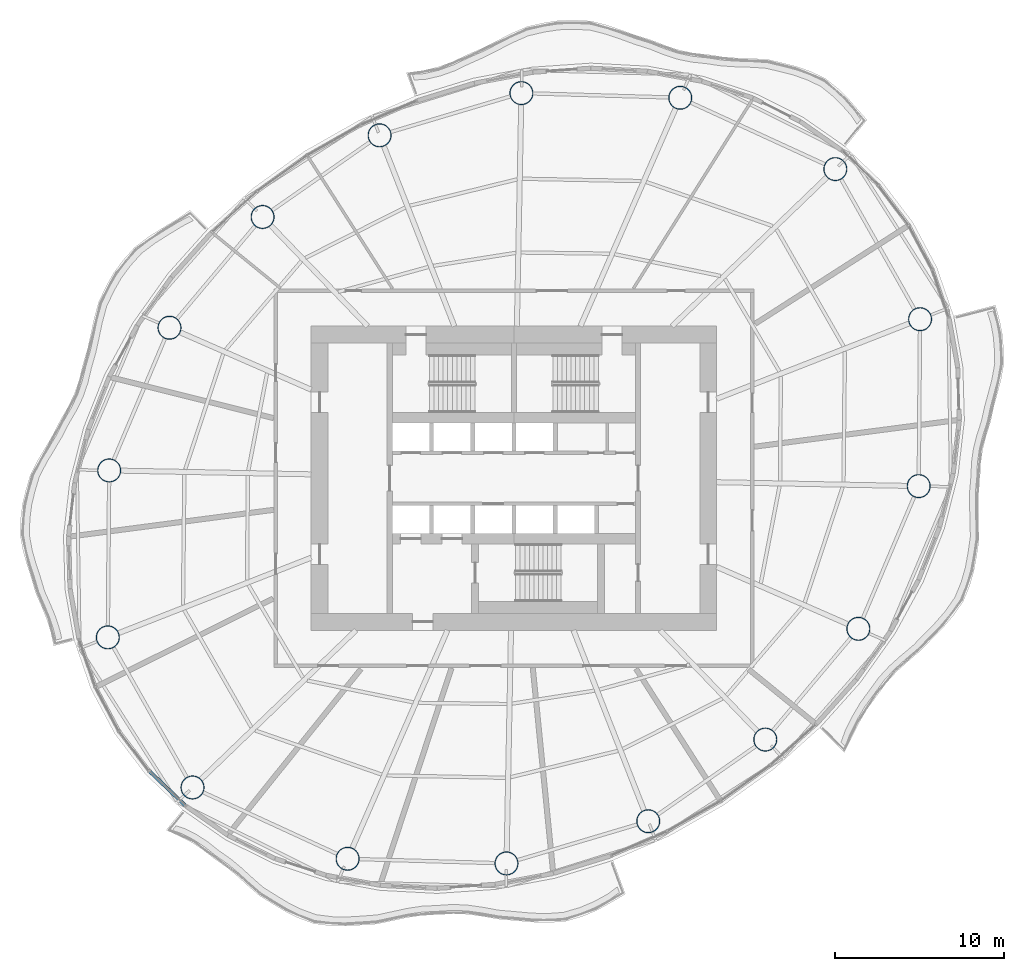
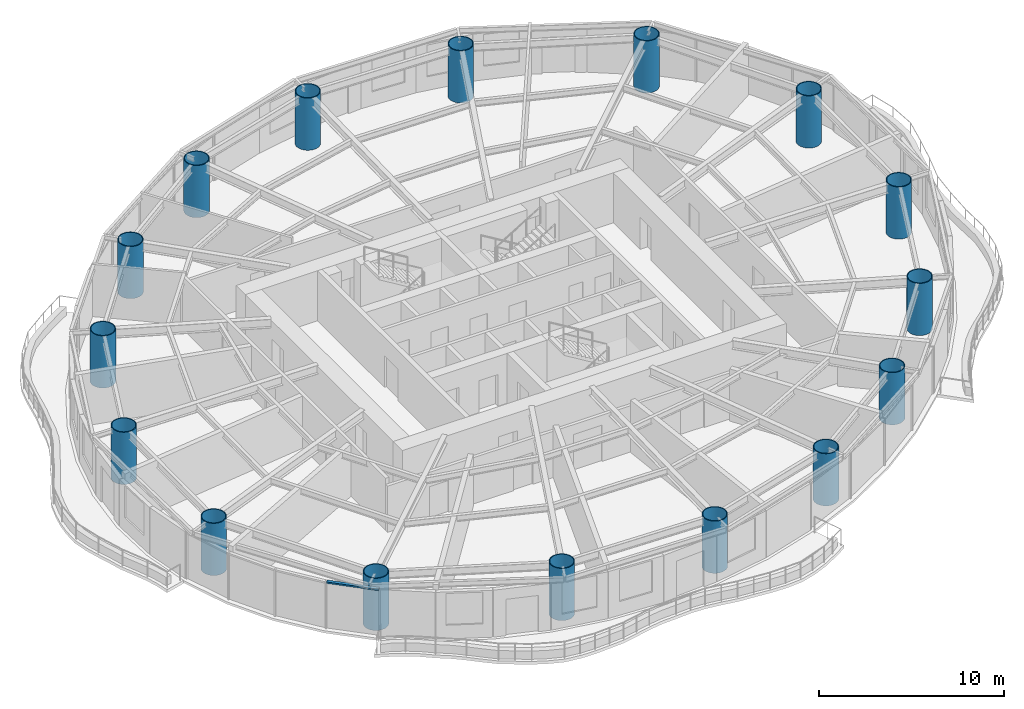
# One storey, part 1 of 14: 16 columns, 1 member, 1 element without a shape of its own.
"""IFC4 building model written with IfcOpenShell, lengths in metres."""

from ifc_helpers import new_model, si_unit, direction, frame, origin, origin_2d, place, context, subcontext, project, spatial, rectangle, hollow_circle, extrude, material, material_profile, profile_set, type_object, element, aggregate, save


model = new_model("IFC4")

# Units and contexts
model_context = context("Model", 3, precision=1e-05, world=origin(), true_north=direction((0.0, 1.0)))
body_context = subcontext(model_context, "Body", "Model", "MODEL_VIEW")
ifc_project = project(units=[si_unit("LENGTHUNIT", "METRE"), si_unit("AREAUNIT", "SQUARE_METRE"), si_unit("VOLUMEUNIT", "CUBIC_METRE"), si_unit("PLANEANGLEUNIT", "RADIAN"), si_unit("MASSUNIT", "GRAM", prefix="KILO")], contexts=[model_context])

# Site, building, storey
site_placement = place(None, origin())
site = spatial("IfcSite", under=ifc_project, at=site_placement, CompositionType="ELEMENT")
building_placement = place(site_placement, origin())
building = spatial("IfcBuilding", under=site, at=building_placement, Name="Vermilion Reach Broadcast Tower", CompositionType="ELEMENT")
storey_placement = place(building_placement, frame((0.0, 0.0, 165.0)))
storey = spatial("IfcBuildingStorey", under=building, at=storey_placement, Name="L39", CompositionType="ELEMENT", Elevation=165.0)

# Columns
ifc_material_1 = material(Name="Concrete C70 infill in steel S460NL tube", Category="concrete")
ifc_material_profile_1 = material_profile(ifc_material_1, hollow_circle(Radius=0.699951171875, WallThickness=0.050048828125, at=origin_2d()), Name="Concrete C70 infill in steel S460NL tube CFT 1400x50")
ifc_profile_set_1 = profile_set([ifc_material_profile_1], Name="Concrete C70 infill in steel S460NL tube")
column_type = type_object("IfcColumnType", Name="MC3 CFT 1400x50", PredefinedType="COLUMN", material=ifc_profile_set_1)
for number, where, z_axis, x_axis, name in (
    (1, (13.02587890625, 18.302734375, 0.0), (0.0, 0.0, 1.0), (1.0, 0.0, 0.0), "Mega-column MC3-01"),
    (2, (3.84521484375, 22.524169921875, 0.0), (0.0, 0.0, 1.0), (1.0, 0.0, 0.0), "Mega-column MC3-02"),
    (3, (-5.558349609375, 22.800048828125, 0.0), (0.0, 0.0, 1.0), (1.0, 0.0, 0.0), "Mega-column MC3-03"),
    (4, (-13.95166015625, 20.30078125, 0.0), (0.0, 0.0, 1.0), (1.0, 0.0, 0.0), "Mega-column MC3-04"),
    (5, (-20.879150390625, 15.46728515625, 0.0), (0.0, 0.0, 1.0), (1.0, 0.0, 0.0), "Mega-column MC3-05"),
    (6, (-26.38818359375, 8.91162109375, 0.0), (0.0, 0.0, 1.0), (1.0, 0.0, 0.0), "Mega-column MC3-06"),
    (7, (-29.95947265625, 0.464111328125, 0.0), (0.0, 0.0, 1.0), (1.0, 0.0, 0.0), "Mega-column MC3-07"),
    (8, (-30.04052734375, -9.41650390625, 0.0), (0.0, 0.0, 1.0), (1.0, 0.0, 0.0), "Mega-column MC3-08"),
    (9, (-25.02587890625, -18.302734375, 0.0), (0.0, 0.0, 1.0), (1.0, 0.0, 0.0), "Mega-column MC3-09"),
    (10, (-15.84521484375, -22.524169921875, 0.0), (0.0, 0.0, 1.0), (1.0, 0.0, 0.0), "Mega-column MC3-10"),
    (11, (-6.441650390625, -22.800048828125, 0.0), (0.0, 0.0, 1.0), (1.0, 0.0, 0.0), "Mega-column MC3-11"),
    (12, (1.95166015625, -20.30078125, 0.0), (0.0, 0.0, 1.0), (1.0, 0.0, 0.0), "Mega-column MC3-12"),
    (13, (8.879150390625, -15.46728515625, 0.0), (0.0, 0.0, 1.0), (1.0, 0.0, 0.0), "Mega-column MC3-13"),
    (14, (14.38818359375, -8.91162109375, 0.0), (0.0, 0.0, 1.0), (1.0, 0.0, 0.0), "Mega-column MC3-14"),
    (15, (17.95947265625, -0.464111328125, 0.0), (0.0, 0.0, 1.0), (1.0, 0.0, 0.0), "Mega-column MC3-15"),
    (16, (18.04052734375, 9.41650390625, 0.0), (0.0, 0.0, 1.0), (1.0, 0.0, 0.0), "Mega-column MC3-16"),
):
    element("IfcColumn", number, at=place(storey_placement, frame(where, z_axis=z_axis, x_axis=x_axis)), inside=storey, type_object=column_type, Name=name, PredefinedType="COLUMN", context=body_context, shape_type="SweptSolid", body=[
        extrude(hollow_circle(Radius=0.699951171875, WallThickness=0.050048828125, at=origin_2d()), origin(), (0.0, 0.0, 1.0), 3.449951171875),
    ])

# Curtain wall, member
ifc_material_2 = material(Name="Low-e laminated clear glass in aluminium frame", Category="aluminium")
curtain_wall_type = type_object("IfcCurtainWallType", Name="Slot curtain wall", PredefinedType="NOTDEFINED", material=ifc_material_2)
curtain_wall_placement = place(storey_placement, origin())
curtain_wall = element("IfcCurtainWall", 17, at=curtain_wall_placement, inside=storey, type_object=curtain_wall_type, Name="Slot curtain wall L39 25", PredefinedType="NOTDEFINED")
ifc_material_3 = material(Name="Anodised aluminium", Category="aluminium")
ifc_material_profile_2 = material_profile(ifc_material_3, rectangle(XDim=0.199951171875, YDim=0.10009765625, at=origin_2d()), Name="Slot transom 200 x 100")
ifc_profile_set_2 = profile_set([ifc_material_profile_2], Name="Anodised aluminium")
member_type = type_object("IfcMemberType", Name="Slot transom 200 x 100", PredefinedType="USERDEFINED", material=ifc_profile_set_2)
member_placement = place(storey_placement, frame((-27.554443359375, -17.359619140625, 3.050048828125), z_axis=(0.722753054214, -0.691106375766, 0.0), x_axis=(0.691106375766, 0.722753054214, 0.0)))
member = element("IfcMember", 18, at=member_placement, type_object=member_type, Name="Slot transom L39 25.1", ObjectType="TRANSOM", PredefinedType="USERDEFINED", context=body_context, shape_type="SweptSolid", body=[
    extrude(rectangle(XDim=0.199951171875, YDim=0.10009765625, at=origin_2d()), origin(), (0.0, 0.0, 1.0), 2.908447265625),
])
aggregate(curtain_wall, [member])

save(model, "model.ifc")
